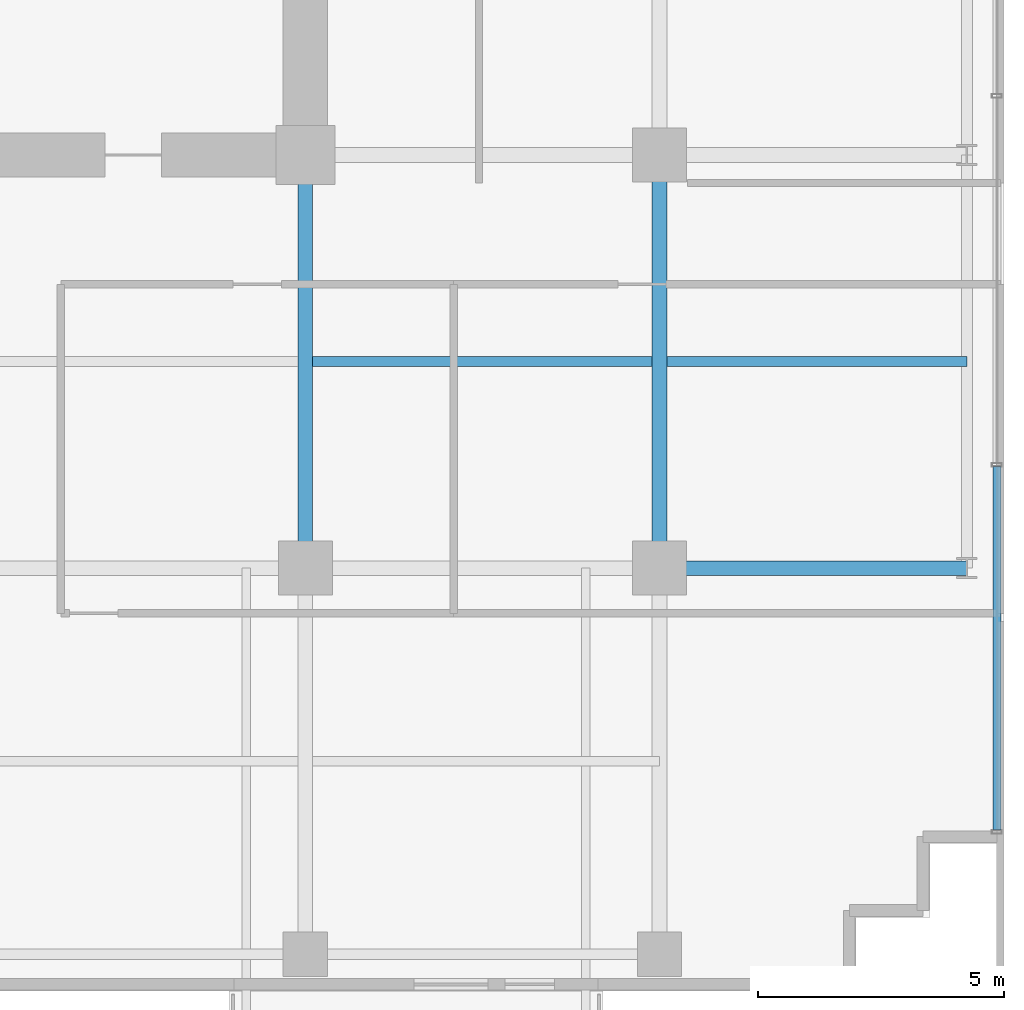
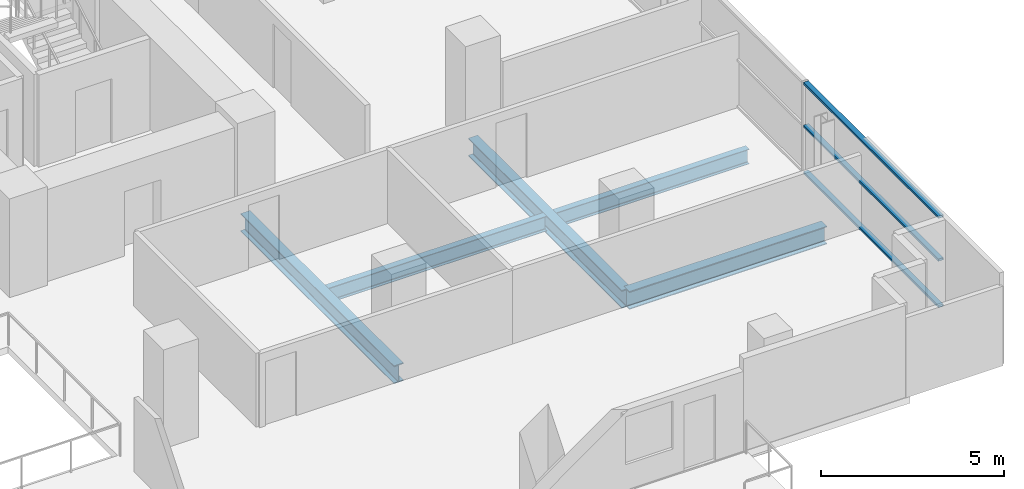
# One storey, part 12 of 30: 5 beams, 3 members, 1 element without a shape of its own.
"""IFC4 building model written with IfcOpenShell, lengths in metres."""

from ifc_helpers import new_model, si_unit, direction, frame, origin, origin_2d, place, context, subcontext, project, spatial, hollow_rectangle, i_section, extrude, source, transform, mapped, material, layer, layer_set, material_profile, profile_set, type_object, element, aggregate, save


model = new_model("IFC4")

# Units and contexts
model_context = context("Model", 3, precision=1e-05, world=origin(), true_north=direction((0.0, 1.0)))
body_context = subcontext(model_context, "Body", "Model", "MODEL_VIEW")
ifc_project = project(units=[si_unit("LENGTHUNIT", "METRE"), si_unit("AREAUNIT", "SQUARE_METRE"), si_unit("VOLUMEUNIT", "CUBIC_METRE"), si_unit("PLANEANGLEUNIT", "RADIAN"), si_unit("MASSUNIT", "GRAM", prefix="KILO")], contexts=[model_context])

# Site, building, storey
site_placement = place(None, origin())
site = spatial("IfcSite", under=ifc_project, at=site_placement, CompositionType="ELEMENT")
building_placement = place(site_placement, origin())
building = spatial("IfcBuilding", under=site, at=building_placement, Name="Zarnakvel Exchange Tower", CompositionType="ELEMENT")
storey_placement = place(building_placement, frame((0.0, 0.0, 40.60009765625)))
storey = spatial("IfcBuildingStorey", under=building, at=storey_placement, Name="L10", CompositionType="ELEMENT", Elevation=40.60009765625)

# Beams
ifc_material_1 = material(Name="Steel S355", Category="steel")
ifc_material_profile_1 = material_profile(ifc_material_1, i_section(OverallWidth=0.199951171875, OverallDepth=0.5, WebThickness=0.01025390625, FlangeThickness=0.01611328125, FilletRadius=0.02099609375, at=origin_2d()))
ifc_profile_set_1 = profile_set([ifc_material_profile_1], Name="Steel S355")
beam_type_1 = type_object("IfcBeamType", Name="B-04", PredefinedType="JOIST", material=ifc_profile_set_1)
beam_1_placement = place(storey_placement, frame((14.550048828125, -5.39990234375, -0.47509765625), z_axis=(1.0, 0.0, 0.0), x_axis=(0.0, 1.0, 0.0)))
element("IfcBeam", 1, at=beam_1_placement, inside=storey, type_object=beam_type_1, Name="L10 Composite Floor Secondary Joist", PredefinedType="JOIST", context=body_context, shape_type="SweptSolid", body=[
    extrude(i_section(OverallWidth=0.199951171875, OverallDepth=0.5, WebThickness=0.01025390625, FlangeThickness=0.01611328125, FilletRadius=0.02099609375, at=origin_2d()), origin(), (0.0, 0.0, 1.0), 6.89990234375),
])
beam_2_placement = place(storey_placement, frame((21.75, -5.39990234375, -0.47509765625), z_axis=(1.0, 0.0, 0.0), x_axis=(0.0, 1.0, 0.0)))
element("IfcBeam", 2, at=beam_2_placement, inside=storey, type_object=beam_type_1, Name="L10 Composite Floor Secondary Joist", PredefinedType="JOIST", context=body_context, shape_type="SweptSolid", body=[
    extrude(i_section(OverallWidth=0.199951171875, OverallDepth=0.5, WebThickness=0.01025390625, FlangeThickness=0.01611328125, FilletRadius=0.02099609375, at=origin_2d()), origin(), (0.0, 0.0, 1.0), 6.10009765625),
])
ifc_material_profile_2 = material_profile(ifc_material_1, i_section(OverallWidth=0.300048828125, OverallDepth=0.60009765625, WebThickness=0.015380859375, FlangeThickness=0.030029296875, FilletRadius=0.027099609375, at=origin_2d()))
ifc_profile_set_2 = profile_set([ifc_material_profile_2], Name="Steel S355")
beam_type_2 = type_object("IfcBeamType", Name="G-04", PredefinedType="BEAM", material=ifc_profile_set_2)
beam_3_placement = place(storey_placement, frame((21.60009765625, -9.60009765625, -0.525146484375), z_axis=(1.0, 0.0, 0.0), x_axis=(0.0, 1.0, 0.0)))
element("IfcBeam", 3, at=beam_3_placement, inside=storey, type_object=beam_type_2, Name="L10 Tower E-W Frame Beam", PredefinedType="BEAM", context=body_context, shape_type="SweptSolid", body=[
    extrude(i_section(OverallWidth=0.300048828125, OverallDepth=0.60009765625, WebThickness=0.015380859375, FlangeThickness=0.030029296875, FilletRadius=0.027099609375, at=origin_2d()), origin(), (0.0, 0.0, 1.0), 6.25),
])
for number, where, z_axis, x_axis, name in (
    (4, (14.39990234375, -9.60009765625, -0.525146484375), (0.0, 1.0, 0.0), (-1.0, 0.0, 0.0), "L10 Tower N-S Frame Beam"),
    (5, (21.60009765625, -9.60009765625, -0.525146484375), (0.0, 1.0, 0.0), (-1.0, 0.0, 0.0), "L10 Tower N-S Frame Beam"),
):
    element("IfcBeam", number, at=place(storey_placement, frame(where, z_axis=z_axis, x_axis=x_axis)), inside=storey, type_object=beam_type_2, Name=name, PredefinedType="BEAM", context=body_context, shape_type="SweptSolid", body=[
        extrude(i_section(OverallWidth=0.300048828125, OverallDepth=0.60009765625, WebThickness=0.015380859375, FlangeThickness=0.030029296875, FilletRadius=0.027099609375, at=origin_2d()), origin(), (0.0, 0.0, 1.0), 8.400146484375),
    ])

# Curtain wall, members
ifc_material_2 = material(Name="Architectural Bronze Anodised Aluminium", Category="aluminium")
ifc_layer = layer(ifc_material_2, 0.199951171875)
ifc_layer_set = layer_set([ifc_layer], Name="Architectural Bronze Anodised Aluminium")
curtain_wall_type = type_object("IfcCurtainWallType", Name="CW-04", PredefinedType="NOTDEFINED", material=ifc_layer_set)
curtain_wall_placement = place(storey_placement, origin())
curtain_wall = element("IfcCurtainWall", 6, at=curtain_wall_placement, inside=storey, type_object=curtain_wall_type, Name="L10 Curtain Wall CW-L10-E1 (CW-04)", PredefinedType="NOTDEFINED")
ifc_material_profile_3 = material_profile(ifc_material_2, hollow_rectangle(XDim=0.159912109375, YDim=0.074951171875, WallThickness=0.00390625, at=origin_2d()))
ifc_profile_set_3 = profile_set([ifc_material_profile_3], Name="Architectural Bronze Anodised Aluminium")
member_type = type_object("IfcMemberType", Name="CWT-04", PredefinedType="USERDEFINED", material=ifc_profile_set_3)
shared_shape = source(origin(), body_context, "Body", "SweptSolid", [
    extrude(hollow_rectangle(XDim=0.159912109375, YDim=0.074951171875, WallThickness=0.00390625, at=origin_2d()), origin(), (0.0, 0.0, 1.0), 7.387451171875),
])
member_1_placement = place(storey_placement, frame((28.4599609375, -14.925048828125, 0.037353515625), z_axis=(0.0, 1.0, 0.0), x_axis=(-1.0, 0.0, 0.0)))
member_1 = element("IfcMember", 7, at=member_1_placement, type_object=member_type, Name="CW-04 transom 1.1", ObjectType="TRANSOM", PredefinedType="USERDEFINED", context=body_context, shape_type="MappedRepresentation", body=[
    mapped(shared_shape, transform((0.0, 0.0, 0.0), x_axis=(1.0, 0.0, 0.0), y_axis=(0.0, 1.0, 0.0), z_axis=(0.0, 0.0, 1.0), scale=1.0)),
])
member_2_placement = place(storey_placement, frame((28.4599609375, -14.925048828125, 1.588623046875), z_axis=(0.0, 1.0, 0.0), x_axis=(-1.0, 0.0, 0.0)))
member_2 = element("IfcMember", 8, at=member_2_placement, type_object=member_type, Name="CW-04 transom 1.2", ObjectType="TRANSOM", PredefinedType="USERDEFINED", context=body_context, shape_type="MappedRepresentation", body=[
    mapped(shared_shape, transform((0.0, 0.0, 0.0), x_axis=(1.0, 0.0, 0.0), y_axis=(0.0, 1.0, 0.0), z_axis=(0.0, 0.0, 1.0), scale=1.0)),
])
member_3_placement = place(storey_placement, frame((28.4599609375, -14.925048828125, 3.017333984375), z_axis=(0.0, 1.0, 0.0), x_axis=(-1.0, 0.0, 0.0)))
member_3 = element("IfcMember", 9, at=member_3_placement, type_object=member_type, Name="CW-04 transom 1.3", ObjectType="TRANSOM", PredefinedType="USERDEFINED", context=body_context, shape_type="MappedRepresentation", body=[
    mapped(shared_shape, transform((0.0, 0.0, 0.0), x_axis=(1.0, 0.0, 0.0), y_axis=(0.0, 1.0, 0.0), z_axis=(0.0, 0.0, 1.0), scale=1.0)),
])
aggregate(curtain_wall, [member_1, member_2, member_3])

save(model, "model.ifc")
